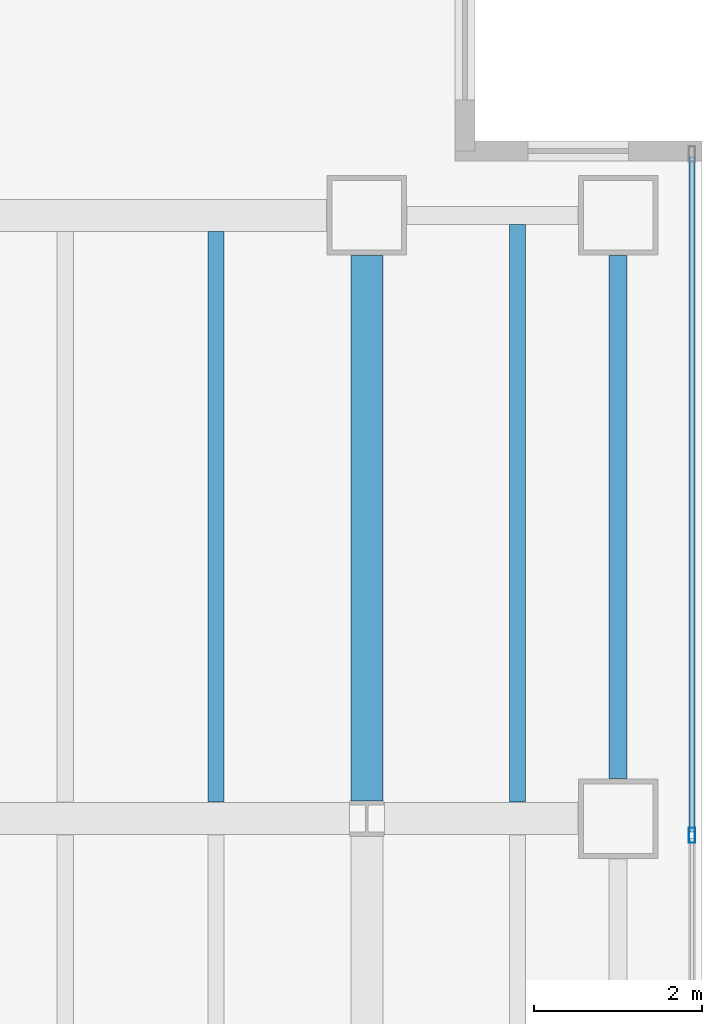
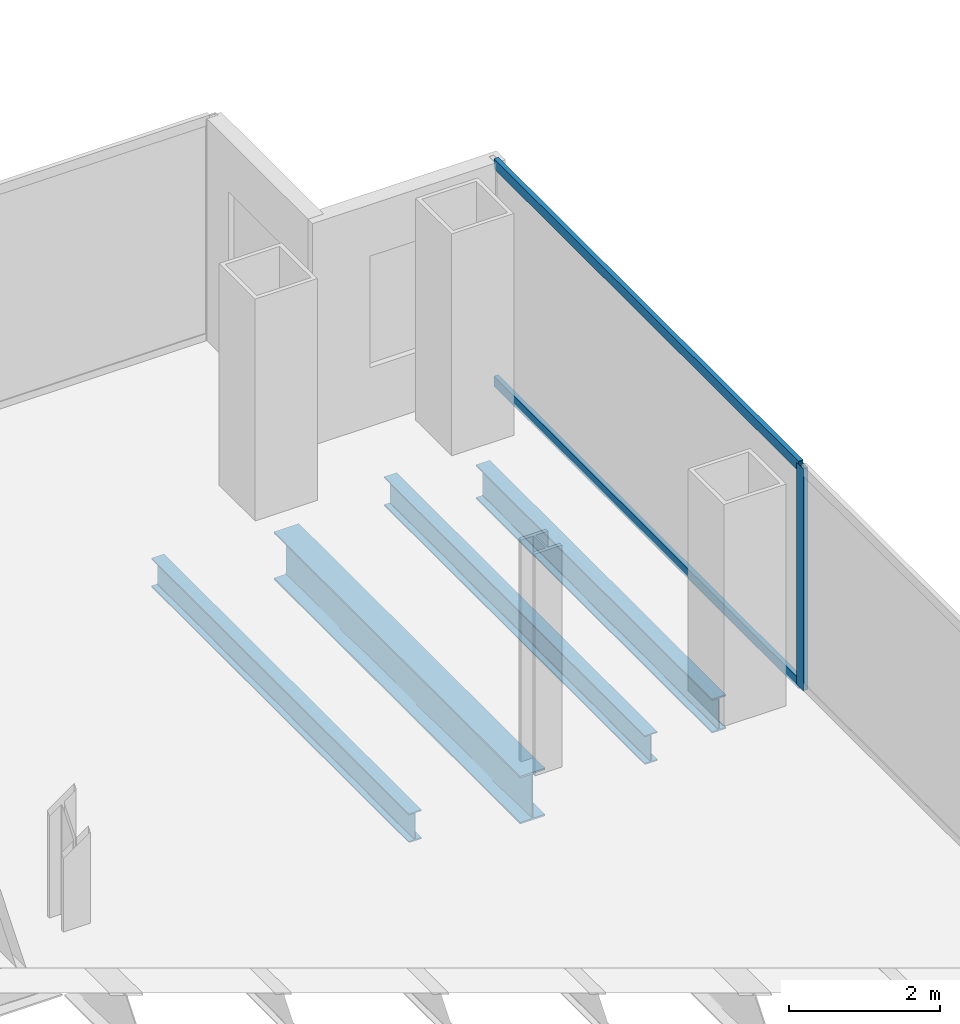
# One storey, part 13 of 23: 4 beams, 3 members, 1 element without a shape of its own.
"""IFC4 building model written with IfcOpenShell, lengths in metres."""

from ifc_helpers import new_model, si_unit, direction, frame, origin, origin_2d, place, context, subcontext, project, spatial, hollow_rectangle, i_section, extrude, material, material_profile, profile_set, type_object, element, aggregate, save


model = new_model("IFC4")

# Units and contexts
model_context = context("Model", 3, precision=1e-05, world=origin(), true_north=direction((0.0, 1.0)))
body_context = subcontext(model_context, "Body", "Model", "MODEL_VIEW")
ifc_project = project(units=[si_unit("LENGTHUNIT", "METRE"), si_unit("AREAUNIT", "SQUARE_METRE"), si_unit("VOLUMEUNIT", "CUBIC_METRE"), si_unit("PLANEANGLEUNIT", "RADIAN"), si_unit("MASSUNIT", "GRAM", prefix="KILO")], contexts=[model_context])

# Site, building, storey
site_placement = place(None, origin())
site = spatial("IfcSite", under=ifc_project, at=site_placement, CompositionType="ELEMENT")
building_placement = place(site_placement, origin())
building = spatial("IfcBuilding", under=site, at=building_placement, Name="Cobrela Telecom Tower", CompositionType="ELEMENT")
storey_placement = place(building_placement, frame((0.0, 0.0, 113.75)))
storey = spatial("IfcBuildingStorey", under=building, at=storey_placement, Name="L28", CompositionType="ELEMENT", Elevation=113.75)

# Beams
ifc_material_1 = material(Name="Steel ASTM A992 Grade 50", Category="steel")
ifc_material_profile_1 = material_profile(ifc_material_1, i_section(OverallWidth=0.381103515625, OverallDepth=0.77197265625, WebThickness=0.0166015625, FlangeThickness=0.027099609375, FilletRadius=0.01904296875, at=origin_2d()), Name="W30X173")
ifc_profile_set_1 = profile_set([ifc_material_profile_1], Name="Steel ASTM A992 Grade 50")
beam_type_1 = type_object("IfcBeamType", Name="BM-GIRD-04", PredefinedType="USERDEFINED", material=ifc_profile_set_1)
beam_1_placement = place(storey_placement, frame((43.199951171875, 14.609619140625, -0.656005859375), z_axis=(0.0, 1.0, 0.0), x_axis=(-1.0, 0.0, 0.0)))
element("IfcBeam", 1, at=beam_1_placement, inside=storey, type_object=beam_type_1, Name="L28 Primary Girder Y54", ObjectType="GIRDER", PredefinedType="USERDEFINED", context=body_context, shape_type="SweptSolid", body=[
    extrude(i_section(OverallWidth=0.381103515625, OverallDepth=0.77197265625, WebThickness=0.0166015625, FlangeThickness=0.027099609375, FilletRadius=0.01904296875, at=origin_2d()), origin(), (0.0, 0.0, 1.0), 6.510498046875),
])
ifc_material_profile_2 = material_profile(ifc_material_1, i_section(OverallWidth=0.193115234375, OverallDepth=0.467041015625, WebThickness=0.011474609375, FlangeThickness=0.01904296875, FilletRadius=0.012939453125, at=origin_2d()), Name="W18X65")
ifc_profile_set_2 = profile_set([ifc_material_profile_2], Name="Steel ASTM A992 Grade 50")
beam_type_2 = type_object("IfcBeamType", Name="BM-JOIST-03", PredefinedType="JOIST", material=ifc_profile_set_2)
beam_2_placement = place(storey_placement, frame((41.39990234375, 14.595458984375, -0.50341796875), z_axis=(0.0, 1.0, 0.0), x_axis=(-1.0, 0.0, 0.0)))
element("IfcBeam", 2, at=beam_2_placement, inside=storey, type_object=beam_type_2, Name="L28 Secondary Composite Floor Beam J38", PredefinedType="JOIST", context=body_context, shape_type="SweptSolid", body=[
    extrude(i_section(OverallWidth=0.193115234375, OverallDepth=0.467041015625, WebThickness=0.011474609375, FlangeThickness=0.01904296875, FilletRadius=0.012939453125, at=origin_2d()), origin(), (0.0, 0.0, 1.0), 6.80908203125),
])
beam_3_placement = place(storey_placement, frame((45.0, 14.595458984375, -0.50341796875), z_axis=(0.0, 1.0, 0.0), x_axis=(-1.0, 0.0, 0.0)))
element("IfcBeam", 3, at=beam_3_placement, inside=storey, type_object=beam_type_2, Name="L28 Secondary Composite Floor Beam J40", PredefinedType="JOIST", context=body_context, shape_type="SweptSolid", body=[
    extrude(i_section(OverallWidth=0.193115234375, OverallDepth=0.467041015625, WebThickness=0.011474609375, FlangeThickness=0.01904296875, FilletRadius=0.012939453125, at=origin_2d()), origin(), (0.0, 0.0, 1.0), 6.89306640625),
])
ifc_material_profile_3 = material_profile(ifc_material_1, i_section(OverallWidth=0.212890625, OverallDepth=0.549072265625, WebThickness=0.0146484375, FlangeThickness=0.023681640625, FilletRadius=0.013916015625, at=origin_2d()), Name="W21X93")
ifc_profile_set_3 = profile_set([ifc_material_profile_3], Name="Steel ASTM A992 Grade 50")
beam_type_3 = type_object("IfcBeamType", Name="BM-SPAND-03", PredefinedType="SPANDREL", material=ifc_profile_set_3)
beam_4_placement = place(storey_placement, frame((46.199951171875, 14.8798828125, -0.54443359375), z_axis=(0.0, 1.0, 0.0), x_axis=(-1.0, 0.0, 0.0)))
element("IfcBeam", 4, at=beam_4_placement, inside=storey, type_object=beam_type_3, Name="L28 Perimeter Spandrel Y56", PredefinedType="SPANDREL", context=body_context, shape_type="SweptSolid", body=[
    extrude(i_section(OverallWidth=0.212890625, OverallDepth=0.549072265625, WebThickness=0.0146484375, FlangeThickness=0.023681640625, FilletRadius=0.013916015625, at=origin_2d()), origin(), (0.0, 0.0, 1.0), 6.240234375),
])

# Curtain wall, members
ifc_material_2 = material(Name="Anodized Bronze Aluminium 6063-T6", Category="aluminium")
curtain_wall_type = type_object("IfcCurtainWallType", Name="CW-SYS-TEL", PredefinedType="USERDEFINED", material=ifc_material_2)
curtain_wall_placement = place(storey_placement, origin())
curtain_wall = element("IfcCurtainWall", 5, at=curtain_wall_placement, inside=storey, type_object=curtain_wall_type, Name="L28 Unitised Bronze Curtain Wall 14", ObjectType="UNITISED CURTAIN WALL", PredefinedType="USERDEFINED")
ifc_material_profile_4 = material_profile(ifc_material_2, hollow_rectangle(XDim=0.074951171875, YDim=0.179931640625, WallThickness=0.00390625, at=origin_2d()), Name="ALU 75x180x4")
ifc_profile_set_4 = profile_set([ifc_material_profile_4], Name="Anodized Bronze Aluminium 6063-T6")
member_type_1 = type_object("IfcMemberType", Name="CW-SYS-TEL-MUL", PredefinedType="MULLION", material=ifc_profile_set_4)
member_1_placement = place(storey_placement, frame((47.080078125, 14.199951171875, 0.0), z_axis=(0.0, 0.0, 1.0), x_axis=(1.0, 0.0, 0.0)))
member_1 = element("IfcMember", 6, at=member_1_placement, type_object=member_type_1, Name="CW-TEL mullion 2", PredefinedType="MULLION", context=body_context, shape_type="SweptSolid", body=[
    extrude(hollow_rectangle(XDim=0.074951171875, YDim=0.179931640625, WallThickness=0.00390625, at=origin_2d()), origin(), (0.0, 0.0, 1.0), 3.580078125),
])
ifc_material_profile_5 = material_profile(ifc_material_2, hollow_rectangle(XDim=0.070068359375, YDim=0.159912109375, WallThickness=0.00390625, at=origin_2d()), Name="ALU 70x160x4")
ifc_profile_set_5 = profile_set([ifc_material_profile_5], Name="Anodized Bronze Aluminium 6063-T6")
member_type_2 = type_object("IfcMemberType", Name="CW-SYS-TEL-TRN", PredefinedType="USERDEFINED", material=ifc_profile_set_5)
member_2_placement = place(storey_placement, frame((47.080078125, 22.294921875, 0.034912109375), z_axis=(0.0, -1.0, 0.0), x_axis=(1.0, 0.0, 0.0)))
member_2 = element("IfcMember", 7, at=member_2_placement, type_object=member_type_2, Name="CW-TEL transom 1.1", ObjectType="TRANSOM", PredefinedType="USERDEFINED", context=body_context, shape_type="SweptSolid", body=[
    extrude(hollow_rectangle(XDim=0.070068359375, YDim=0.159912109375, WallThickness=0.00390625, at=origin_2d()), origin(), (0.0, 0.0, 1.0), 8.057373046875),
])
member_3_placement = place(storey_placement, frame((47.080078125, 22.294921875, 3.544921875), z_axis=(0.0, -1.0, 0.0), x_axis=(1.0, 0.0, 0.0)))
member_3 = element("IfcMember", 8, at=member_3_placement, type_object=member_type_2, Name="CW-TEL transom 1.2", ObjectType="TRANSOM", PredefinedType="USERDEFINED", context=body_context, shape_type="SweptSolid", body=[
    extrude(hollow_rectangle(XDim=0.070068359375, YDim=0.159912109375, WallThickness=0.00390625, at=origin_2d()), origin(), (0.0, 0.0, 1.0), 8.057373046875),
])
aggregate(curtain_wall, [member_1, member_2, member_3])

save(model, "model.ifc")
